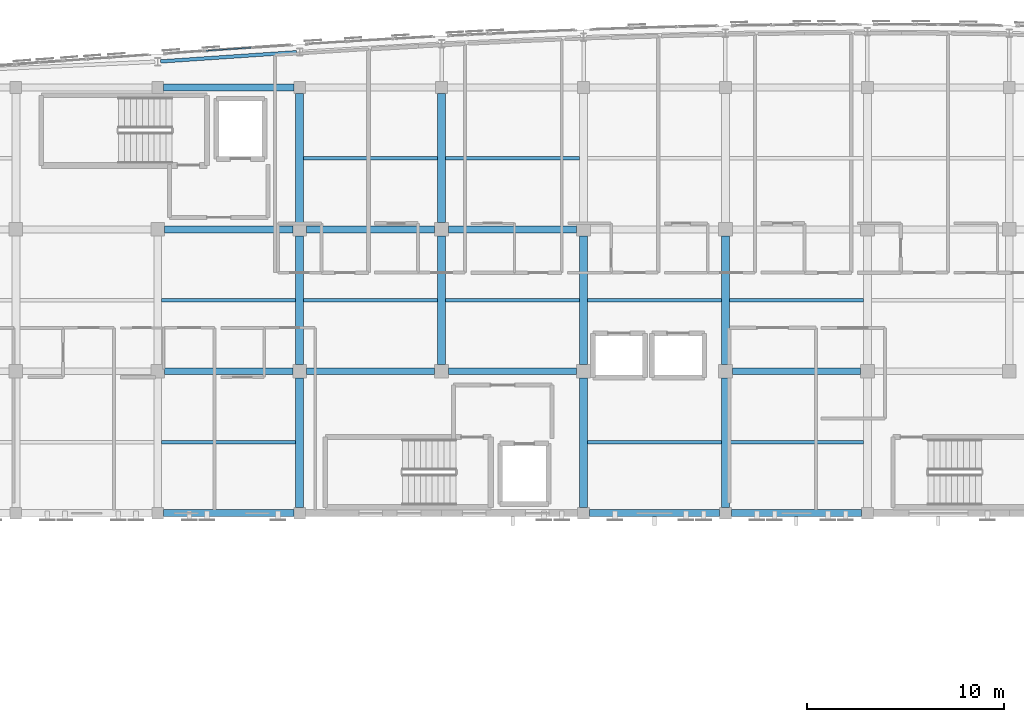
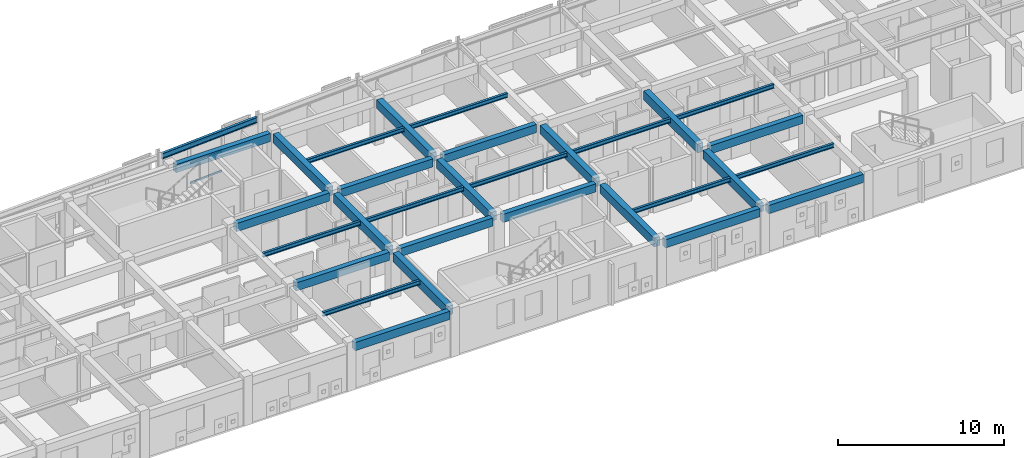
# One storey, part 15 of 73: 31 beams, 3 members, 1 element without a shape of its own.
"""IFC4 building model written with IfcOpenShell, lengths in metres."""

from ifc_helpers import new_model, si_unit, direction, frame, origin, origin_2d, place, context, subcontext, project, spatial, rectangle, hollow_rectangle, i_section, extrude, material, layer, layer_set, material_profile, profile_set, type_object, element, aggregate, save


model = new_model("IFC4")

# Units and contexts
model_context = context("Model", 3, precision=1e-05, world=origin(), true_north=direction((0.0, 1.0)))
body_context = subcontext(model_context, "Body", "Model", "MODEL_VIEW")
ifc_project = project(units=[si_unit("LENGTHUNIT", "METRE"), si_unit("AREAUNIT", "SQUARE_METRE"), si_unit("VOLUMEUNIT", "CUBIC_METRE"), si_unit("PLANEANGLEUNIT", "RADIAN"), si_unit("MASSUNIT", "GRAM", prefix="KILO")], contexts=[model_context])

# Site, building, storey
site_placement = place(None, origin())
site = spatial("IfcSite", under=ifc_project, at=site_placement, CompositionType="ELEMENT")
building_placement = place(site_placement, origin())
building = spatial("IfcBuilding", under=site, at=building_placement, Name="Carrowvane Square Congress Hotel", CompositionType="ELEMENT")
storey_placement = place(building_placement, frame((0.0, 0.0, 19.199951171875)))
storey = spatial("IfcBuildingStorey", under=building, at=storey_placement, Name="L04", CompositionType="ELEMENT", Elevation=19.199951171875)

# Beams
ifc_material_1 = material(Name="Concrete C35/45", Category="concrete")
ifc_material_profile_1 = material_profile(ifc_material_1, rectangle(XDim=0.35009765625, YDim=0.60009765625, at=origin_2d()), Name="RC 350x600")
ifc_profile_set_1 = profile_set([ifc_material_profile_1], Name="Concrete C35/45")
beam_type_1 = type_object("IfcBeamType", Name="BM-RC-350x600", PredefinedType="BEAM", material=ifc_profile_set_1)
beam_1_placement = place(storey_placement, frame((62.300048828125, 91.800048828125, 3.050048828125), z_axis=(1.0, 0.0, 0.0), x_axis=(0.0, 1.0, 0.0)))
element("IfcBeam", 1, at=beam_1_placement, inside=storey, type_object=beam_type_1, Name="L05 girder N/8-9", PredefinedType="BEAM", context=body_context, shape_type="SweptSolid", body=[
    extrude(rectangle(XDim=0.35009765625, YDim=0.60009765625, at=origin_2d()), origin(), (0.0, 0.0, 1.0), 6.599853515625),
])
beam_2_placement = place(storey_placement, frame((83.89990234375, 91.800048828125, 3.050048828125), z_axis=(1.0, 0.0, 0.0), x_axis=(0.0, 1.0, 0.0)))
element("IfcBeam", 2, at=beam_2_placement, inside=storey, type_object=beam_type_1, Name="L05 girder N/11-12", PredefinedType="BEAM", context=body_context, shape_type="SweptSolid", body=[
    extrude(rectangle(XDim=0.35009765625, YDim=0.60009765625, at=origin_2d()), origin(), (0.0, 0.0, 1.0), 6.60009765625),
])
beam_3_placement = place(storey_placement, frame((91.10009765625, 91.800048828125, 3.050048828125), z_axis=(1.0, 0.0, 0.0), x_axis=(0.0, 1.0, 0.0)))
element("IfcBeam", 3, at=beam_3_placement, inside=storey, type_object=beam_type_1, Name="L05 girder N/12-13", PredefinedType="BEAM", context=body_context, shape_type="SweptSolid", body=[
    extrude(rectangle(XDim=0.35009765625, YDim=0.60009765625, at=origin_2d()), origin(), (0.0, 0.0, 1.0), 6.599853515625),
])
for number, where, z_axis, x_axis, name in (
    (4, (62.35009765625, 99.0, 3.050048828125), (1.0, 0.0, 0.0), (0.0, 1.0, 0.0), "L05 girder P/8-9"),
    (5, (69.550048828125, 99.0, 3.050048828125), (1.0, 0.0, 0.0), (0.0, 1.0, 0.0), "L05 girder P/9-10"),
    (6, (76.75, 99.0, 3.050048828125), (1.0, 0.0, 0.0), (0.0, 1.0, 0.0), "L05 girder P/10-11"),
    (7, (91.14990234375, 99.0, 3.050048828125), (1.0, 0.0, 0.0), (0.0, 1.0, 0.0), "L05 girder P/12-13"),
    (8, (62.35009765625, 106.199951171875, 3.050048828125), (1.0, 0.0, 0.0), (0.0, 1.0, 0.0), "L05 girder Q/8-9"),
    (9, (69.550048828125, 106.199951171875, 3.050048828125), (1.0, 0.0, 0.0), (0.0, 1.0, 0.0), "L05 girder Q/9-10"),
    (10, (76.75, 106.199951171875, 3.050048828125), (1.0, 0.0, 0.0), (0.0, 1.0, 0.0), "L05 girder Q/10-11"),
):
    element("IfcBeam", number, at=place(storey_placement, frame(where, z_axis=z_axis, x_axis=x_axis)), inside=storey, type_object=beam_type_1, Name=name, PredefinedType="BEAM", context=body_context, shape_type="SweptSolid", body=[
        extrude(rectangle(XDim=0.35009765625, YDim=0.60009765625, at=origin_2d()), origin(), (0.0, 0.0, 1.0), 6.5),
    ])
beam_4_placement = place(storey_placement, frame((62.300048828125, 113.39990234375, 3.050048828125), z_axis=(1.0, 0.0, 0.0), x_axis=(0.0, 1.0, 0.0)))
element("IfcBeam", 11, at=beam_4_placement, inside=storey, type_object=beam_type_1, Name="L05 girder R/8-9", PredefinedType="BEAM", context=body_context, shape_type="SweptSolid", body=[
    extrude(rectangle(XDim=0.35009765625, YDim=0.60009765625, at=origin_2d()), origin(), (0.0, 0.0, 1.0), 6.599853515625),
])
ifc_material_2 = material(Name="Concrete C35/45", Category="concrete")
ifc_material_profile_2 = material_profile(ifc_material_2, rectangle(XDim=0.39990234375, YDim=0.64990234375, at=origin_2d()), Name="RC 400x650")
ifc_profile_set_2 = profile_set([ifc_material_profile_2], Name="Concrete C35/45")
beam_type_2 = type_object("IfcBeamType", Name="BM-RC-400x650", PredefinedType="BEAM", material=ifc_profile_set_2)
beam_5_placement = place(storey_placement, frame((69.199951171875, 92.10009765625, 3.025146484375), z_axis=(0.0, 1.0, 0.0), x_axis=(-1.0, 0.0, 0.0)))
element("IfcBeam", 12, at=beam_5_placement, inside=storey, type_object=beam_type_2, Name="L05 girder 9/N-P", PredefinedType="BEAM", context=body_context, shape_type="SweptSolid", body=[
    extrude(rectangle(XDim=0.39990234375, YDim=0.64990234375, at=origin_2d()), origin(), (0.0, 0.0, 1.0), 6.5498046875),
])
beam_6_placement = place(storey_placement, frame((69.199951171875, 99.35009765625, 3.025146484375), z_axis=(0.0, 1.0, 0.0), x_axis=(-1.0, 0.0, 0.0)))
element("IfcBeam", 13, at=beam_6_placement, inside=storey, type_object=beam_type_2, Name="L05 girder 9/P-Q", PredefinedType="BEAM", context=body_context, shape_type="SweptSolid", body=[
    extrude(rectangle(XDim=0.39990234375, YDim=0.64990234375, at=origin_2d()), origin(), (0.0, 0.0, 1.0), 6.5),
])
beam_7_placement = place(storey_placement, frame((69.199951171875, 106.550048828125, 3.025146484375), z_axis=(0.0, 1.0, 0.0), x_axis=(-1.0, 0.0, 0.0)))
element("IfcBeam", 14, at=beam_7_placement, inside=storey, type_object=beam_type_2, Name="L05 girder 9/Q-R", PredefinedType="BEAM", context=body_context, shape_type="SweptSolid", body=[
    extrude(rectangle(XDim=0.39990234375, YDim=0.64990234375, at=origin_2d()), origin(), (0.0, 0.0, 1.0), 6.550048828125),
])
beam_8_placement = place(storey_placement, frame((76.39990234375, 99.35009765625, 3.025146484375), z_axis=(0.0, 1.0, 0.0), x_axis=(-1.0, 0.0, 0.0)))
element("IfcBeam", 15, at=beam_8_placement, inside=storey, type_object=beam_type_2, Name="L05 girder 10/P-Q", PredefinedType="BEAM", context=body_context, shape_type="SweptSolid", body=[
    extrude(rectangle(XDim=0.39990234375, YDim=0.64990234375, at=origin_2d()), origin(), (0.0, 0.0, 1.0), 6.5),
])
beam_9_placement = place(storey_placement, frame((76.39990234375, 106.550048828125, 3.025146484375), z_axis=(0.0, 1.0, 0.0), x_axis=(-1.0, 0.0, 0.0)))
element("IfcBeam", 16, at=beam_9_placement, inside=storey, type_object=beam_type_2, Name="L05 girder 10/Q-R", PredefinedType="BEAM", context=body_context, shape_type="SweptSolid", body=[
    extrude(rectangle(XDim=0.39990234375, YDim=0.64990234375, at=origin_2d()), origin(), (0.0, 0.0, 1.0), 6.550048828125),
])
beam_10_placement = place(storey_placement, frame((83.60009765625, 92.10009765625, 3.025146484375), z_axis=(0.0, 1.0, 0.0), x_axis=(-1.0, 0.0, 0.0)))
element("IfcBeam", 17, at=beam_10_placement, inside=storey, type_object=beam_type_2, Name="L05 girder 11/N-P", PredefinedType="BEAM", context=body_context, shape_type="SweptSolid", body=[
    extrude(rectangle(XDim=0.39990234375, YDim=0.64990234375, at=origin_2d()), origin(), (0.0, 0.0, 1.0), 6.5498046875),
])
beam_11_placement = place(storey_placement, frame((83.60009765625, 99.35009765625, 3.025146484375), z_axis=(0.0, 1.0, 0.0), x_axis=(-1.0, 0.0, 0.0)))
element("IfcBeam", 18, at=beam_11_placement, inside=storey, type_object=beam_type_2, Name="L05 girder 11/P-Q", PredefinedType="BEAM", context=body_context, shape_type="SweptSolid", body=[
    extrude(rectangle(XDim=0.39990234375, YDim=0.64990234375, at=origin_2d()), origin(), (0.0, 0.0, 1.0), 6.5),
])
beam_12_placement = place(storey_placement, frame((90.800048828125, 92.10009765625, 3.025146484375), z_axis=(0.0, 1.0, 0.0), x_axis=(-1.0, 0.0, 0.0)))
element("IfcBeam", 19, at=beam_12_placement, inside=storey, type_object=beam_type_2, Name="L05 girder 12/N-P", PredefinedType="BEAM", context=body_context, shape_type="SweptSolid", body=[
    extrude(rectangle(XDim=0.39990234375, YDim=0.64990234375, at=origin_2d()), origin(), (0.0, 0.0, 1.0), 6.5498046875),
])
beam_13_placement = place(storey_placement, frame((90.800048828125, 99.35009765625, 3.025146484375), z_axis=(0.0, 1.0, 0.0), x_axis=(-1.0, 0.0, 0.0)))
element("IfcBeam", 20, at=beam_13_placement, inside=storey, type_object=beam_type_2, Name="L05 girder 12/P-Q", PredefinedType="BEAM", context=body_context, shape_type="SweptSolid", body=[
    extrude(rectangle(XDim=0.39990234375, YDim=0.64990234375, at=origin_2d()), origin(), (0.0, 0.0, 1.0), 6.5),
])
ifc_material_3 = material(Name="Steel S355", Category="steel")
ifc_material_profile_3 = material_profile(ifc_material_3, i_section(OverallWidth=0.165771484375, OverallDepth=0.306640625, WebThickness=0.006591796875, FlangeThickness=0.01171875, FilletRadius=0.0087890625, at=origin_2d()), Name="UKB 305x165x46")
ifc_profile_set_3 = profile_set([ifc_material_profile_3], Name="Steel S355")
beam_type_3 = type_object("IfcBeamType", Name="BM-ST-UKB305", PredefinedType="JOIST", material=ifc_profile_set_3)
for number, where, z_axis, x_axis, name in (
    (21, (62.199951171875, 95.39990234375, 3.19677734375), (1.0, 0.0, 0.0), (0.0, 1.0, 0.0), "L05 secondary joist 8-9"),
    (22, (62.199951171875, 102.60009765625, 3.19677734375), (1.0, 0.0, 0.0), (0.0, 1.0, 0.0), "L05 secondary joist 8-9"),
    (23, (69.39990234375, 102.60009765625, 3.19677734375), (1.0, 0.0, 0.0), (0.0, 1.0, 0.0), "L05 secondary joist 9-10"),
    (24, (69.39990234375, 109.800048828125, 3.19677734375), (1.0, 0.0, 0.0), (0.0, 1.0, 0.0), "L05 secondary joist 9-10"),
):
    element("IfcBeam", number, at=place(storey_placement, frame(where, z_axis=z_axis, x_axis=x_axis)), inside=storey, type_object=beam_type_3, Name=name, PredefinedType="JOIST", context=body_context, shape_type="SweptSolid", body=[
        extrude(i_section(OverallWidth=0.165771484375, OverallDepth=0.306640625, WebThickness=0.006591796875, FlangeThickness=0.01171875, FilletRadius=0.0087890625, at=origin_2d()), origin(), (0.0, 0.0, 1.0), 6.800048828125),
    ])
for number, where, z_axis, x_axis, name in (
    (25, (76.60009765625, 102.60009765625, 3.19677734375), (1.0, 0.0, 0.0), (0.0, 1.0, 0.0), "L05 secondary joist 10-11"),
    (26, (76.60009765625, 109.800048828125, 3.19677734375), (1.0, 0.0, 0.0), (0.0, 1.0, 0.0), "L05 secondary joist 10-11"),
):
    element("IfcBeam", number, at=place(storey_placement, frame(where, z_axis=z_axis, x_axis=x_axis)), inside=storey, type_object=beam_type_3, Name=name, PredefinedType="JOIST", context=body_context, shape_type="SweptSolid", body=[
        extrude(i_section(OverallWidth=0.165771484375, OverallDepth=0.306640625, WebThickness=0.006591796875, FlangeThickness=0.01171875, FilletRadius=0.0087890625, at=origin_2d()), origin(), (0.0, 0.0, 1.0), 6.7998046875),
    ])
for number, where, z_axis, x_axis, name in (
    (27, (83.800048828125, 95.39990234375, 3.19677734375), (1.0, 0.0, 0.0), (0.0, 1.0, 0.0), "L05 secondary joist 11-12"),
    (28, (83.800048828125, 102.60009765625, 3.19677734375), (1.0, 0.0, 0.0), (0.0, 1.0, 0.0), "L05 secondary joist 11-12"),
    (29, (91.0, 95.39990234375, 3.19677734375), (1.0, 0.0, 0.0), (0.0, 1.0, 0.0), "L05 secondary joist 12-13"),
    (30, (91.0, 102.60009765625, 3.19677734375), (1.0, 0.0, 0.0), (0.0, 1.0, 0.0), "L05 secondary joist 12-13"),
):
    element("IfcBeam", number, at=place(storey_placement, frame(where, z_axis=z_axis, x_axis=x_axis)), inside=storey, type_object=beam_type_3, Name=name, PredefinedType="JOIST", context=body_context, shape_type="SweptSolid", body=[
        extrude(i_section(OverallWidth=0.165771484375, OverallDepth=0.306640625, WebThickness=0.006591796875, FlangeThickness=0.01171875, FilletRadius=0.0087890625, at=origin_2d()), origin(), (0.0, 0.0, 1.0), 6.800048828125),
    ])
ifc_material_4 = material(Name="Steel S355", Category="steel")
ifc_material_profile_4 = material_profile(ifc_material_4, i_section(OverallWidth=0.1787109375, OverallDepth=0.409423828125, WebThickness=0.0087890625, FlangeThickness=0.014404296875, FilletRadius=0.01025390625, at=origin_2d()), Name="UKB 406x178x67")
ifc_profile_set_4 = profile_set([ifc_material_profile_4], Name="Steel S355")
beam_type_4 = type_object("IfcBeamType", Name="BM-ST-UKB406", PredefinedType="BEAM", material=ifc_profile_set_4)
beam_14_placement = place(storey_placement, frame((62.149658203125, 114.716064453125, 3.145263671875), z_axis=(0.997707965639, 0.067666943928, 0.0), x_axis=(-0.067666943928, 0.997707965639, 0.0)))
element("IfcBeam", 31, at=beam_14_placement, inside=storey, type_object=beam_type_4, Name="L05 curved north spandrel", PredefinedType="BEAM", context=body_context, shape_type="SweptSolid", body=[
    extrude(i_section(OverallWidth=0.1787109375, OverallDepth=0.409423828125, WebThickness=0.0087890625, FlangeThickness=0.014404296875, FilletRadius=0.01025390625, at=origin_2d()), origin(), (0.0, 0.0, 1.0), 6.91650390625),
])

# Curtain wall, members
ifc_material_5 = material(Name="Anodised aluminium", Category="aluminium")
ifc_layer = layer(ifc_material_5, 0.18603515625)
ifc_layer_set = layer_set([ifc_layer], Name="Anodised aluminium")
curtain_wall_type = type_object("IfcCurtainWallType", Name="CW-SYS-3", PredefinedType="NOTDEFINED", material=ifc_layer_set)
curtain_wall_placement = place(storey_placement, origin())
curtain_wall = element("IfcCurtainWall", 32, at=curtain_wall_placement, inside=storey, type_object=curtain_wall_type, Name="L04 unitised curtain wall 258", PredefinedType="NOTDEFINED")
ifc_material_6 = material(Name="Anodised aluminium", Category="aluminium")
ifc_material_profile_5 = material_profile(ifc_material_6, hollow_rectangle(XDim=0.06005859375, YDim=0.1298828125, WallThickness=0.00390625, at=origin_2d()), Name="CW-TR 60x130x4")
ifc_profile_set_5 = profile_set([ifc_material_profile_5], Name="Anodised aluminium")
member_type = type_object("IfcMemberType", Name="CW-TRN-1", PredefinedType="USERDEFINED", material=ifc_profile_set_5)
member_1_placement = place(storey_placement, frame((64.4599609375, 115.2578125, 0.030029296875), z_axis=(0.997696363245, 0.067837797479, 0.0), x_axis=(-0.067837797479, 0.997696363245, 0.0)))
member_1 = element("IfcMember", 33, at=member_1_placement, type_object=member_type, Name="CW-3 transom 1.1", ObjectType="TRANSOM", PredefinedType="USERDEFINED", context=body_context, shape_type="SweptSolid", body=[
    extrude(hollow_rectangle(XDim=0.06005859375, YDim=0.1298828125, WallThickness=0.00390625, at=origin_2d()), origin(), (0.0, 0.0, 1.0), 2.285400390625),
])
member_2_placement = place(storey_placement, frame((64.4599609375, 115.2578125, 1.462890625), z_axis=(0.997696363245, 0.067837797479, 0.0), x_axis=(-0.067837797479, 0.997696363245, 0.0)))
member_2 = element("IfcMember", 34, at=member_2_placement, type_object=member_type, Name="CW-3 transom 1.2", ObjectType="TRANSOM", PredefinedType="USERDEFINED", context=body_context, shape_type="SweptSolid", body=[
    extrude(hollow_rectangle(XDim=0.06005859375, YDim=0.1298828125, WallThickness=0.00390625, at=origin_2d()), origin(), (0.0, 0.0, 1.0), 2.285400390625),
])
member_3_placement = place(storey_placement, frame((64.4599609375, 115.2578125, 2.895751953125), z_axis=(0.997696363245, 0.067837797479, 0.0), x_axis=(-0.067837797479, 0.997696363245, 0.0)))
member_3 = element("IfcMember", 35, at=member_3_placement, type_object=member_type, Name="CW-3 transom 1.3", ObjectType="TRANSOM", PredefinedType="USERDEFINED", context=body_context, shape_type="SweptSolid", body=[
    extrude(hollow_rectangle(XDim=0.06005859375, YDim=0.1298828125, WallThickness=0.00390625, at=origin_2d()), origin(), (0.0, 0.0, 1.0), 2.285400390625),
])
aggregate(curtain_wall, [member_1, member_2, member_3])

save(model, "model.ifc")
